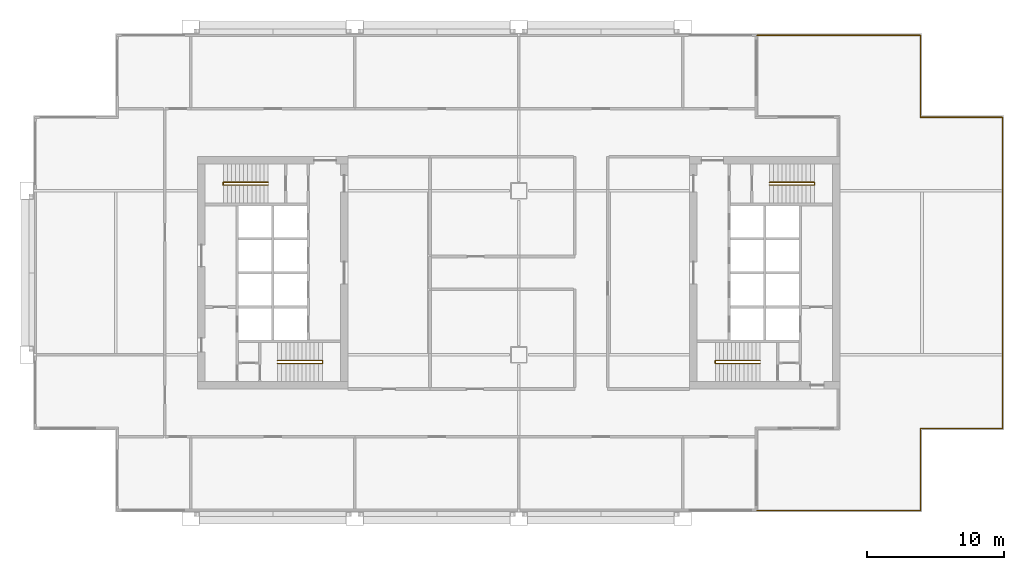
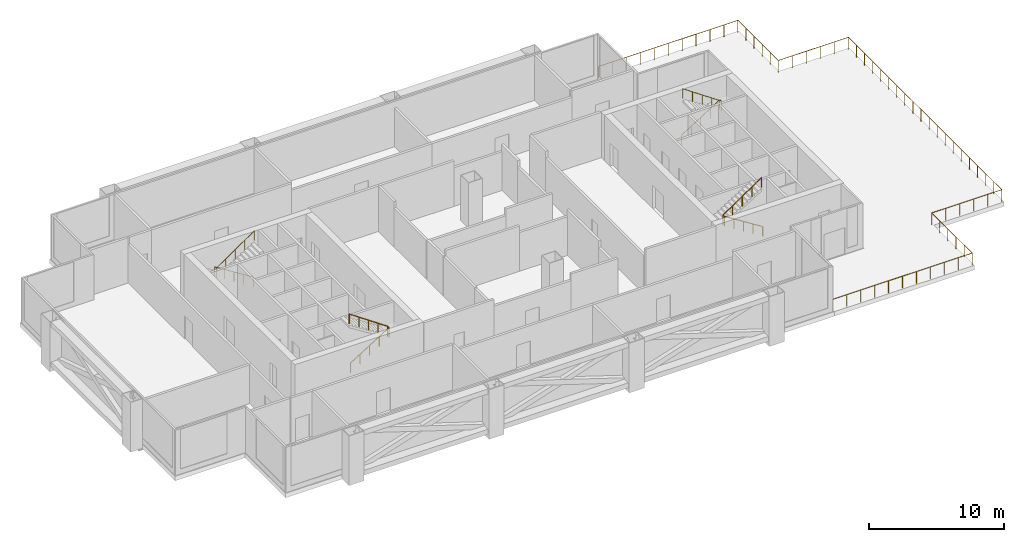
# One storey, part 6 of 6: 5 railings.
"""IFC4 building model written with IfcOpenShell, lengths in metres."""

import ifcopenshell
import ifcopenshell.guid

model = None  # the IFC model being written
_history = None  # IfcOwnerHistory: only IFC2X3 demands one
_inside = {}  # id of a spatial element -> (the spatial element, [elements in it])
_under = {}  # id of a project, library or spatial element -> (it, [spatial elements below it])
_declared = {}  # id of a project -> (the project, [libraries it declares])
_typed = {}  # id of a type object -> (the type object, [elements of that type])
_made_of = {}  # id of a material, layer set ... -> (it, [elements and type objects made of it])


def new_model(schema):
    """Start an empty IFC model of exactly this schema.

    Asked for "IFC4X3", IfcOpenShell would pick the latest addendum, in which some entities
    have other attributes; the version numbers below select the first issue.
    IFC2X3 requires an IfcOwnerHistory on every rooted entity: one is made here for all.
    """
    global model, _history
    if schema == "IFC4X3":
        model = ifcopenshell.file(schema_version=(4, 3, 0, 0))
    else:
        model = ifcopenshell.file(schema=schema)
    _inside.clear()
    _under.clear()
    _declared.clear()
    _typed.clear()
    _made_of.clear()
    _history = None
    if model.schema == "IFC2X3":
        org = make("IfcOrganization", Name="unknown")
        user = make(
            "IfcPersonAndOrganization",
            ThePerson=make("IfcPerson", FamilyName="unknown"),
            TheOrganization=org,
        )
        app = make(
            "IfcApplication",
            ApplicationDeveloper=org,
            Version="unknown",
            ApplicationFullName="unknown",
            ApplicationIdentifier="unknown",
        )
        _history = make(
            "IfcOwnerHistory",
            OwningUser=user,
            OwningApplication=app,
            ChangeAction="ADDED",
            CreationDate=0,
        )
    return model


def make(cls, **values):
    """One entity of the class cls with the attributes given. An attribute that is None is left unset."""
    return model.create_entity(
        cls, **{name: value for name, value in values.items() if value is not None}
    )


def rooted(cls, **values):
    """An entity with a GlobalId (a new one), such as an element, a storey or a relation."""
    return make(cls, GlobalId=ifcopenshell.guid.new(), OwnerHistory=_history, **values)


def si_unit(unit_type, name, prefix=None):
    """IfcSIUnit, for example si_unit("LENGTHUNIT", "METRE", prefix="MILLI")."""
    return make("IfcSIUnit", UnitType=unit_type, Prefix=prefix, Name=name)


def assignment(units):
    """IfcUnitAssignment: the units of a project."""
    return None if units is None else make("IfcUnitAssignment", Units=units)


def point(xyz):
    """IfcCartesianPoint."""
    return None if xyz is None else make("IfcCartesianPoint", Coordinates=xyz)


def direction(xyz):
    """IfcDirection."""
    return None if xyz is None else make("IfcDirection", DirectionRatios=xyz)


def frame(location, z_axis=None, x_axis=None):
    """IfcAxis2Placement3D, a coordinate frame: its origin and axes. An axis left out is left unset."""
    return make(
        "IfcAxis2Placement3D",
        Location=point(location),
        Axis=direction(z_axis),
        RefDirection=direction(x_axis),
    )


def frame_2d(location, x_axis=None):
    """IfcAxis2Placement2D, a coordinate frame in the plane: its origin and x axis."""
    return make(
        "IfcAxis2Placement2D", Location=point(location), RefDirection=direction(x_axis)
    )


def origin():
    """The frame at (0, 0, 0) with its axes left unset."""
    return frame((0.0, 0.0, 0.0))


def origin_2d():
    """The frame at (0, 0) in the plane with its x axis left unset."""
    return frame_2d((0.0, 0.0))


def place(relative_to, where):
    """IfcLocalPlacement: puts the frame where relative to a parent placement (None: the world)."""
    return make(
        "IfcLocalPlacement", PlacementRelTo=relative_to, RelativePlacement=where
    )


def context(
    kind, dimensions, precision=None, world=None, true_north=None, identifier=None
):
    """IfcGeometricRepresentationContext, for example the 3D "Model" context."""
    return make(
        "IfcGeometricRepresentationContext",
        ContextIdentifier=identifier,
        ContextType=kind,
        CoordinateSpaceDimension=dimensions,
        Precision=precision,
        WorldCoordinateSystem=world,
        TrueNorth=true_north,
    )


def subcontext(parent, identifier, kind, view, scale=None):
    """IfcGeometricRepresentationSubContext, for example "Body" below "Model"."""
    return make(
        "IfcGeometricRepresentationSubContext",
        ContextIdentifier=identifier,
        ContextType=kind,
        ParentContext=parent,
        TargetScale=scale,
        TargetView=view,
    )


def project(units=None, contexts=None):
    """IfcProject with its units and contexts."""
    return rooted(
        "IfcProject",
        Name="project",
        RepresentationContexts=contexts,
        UnitsInContext=assignment(units),
    )


def spatial(cls, under=None, at=None, **own):
    """A site, building, storey or space (cls), placed at a placement, below another one or the project."""
    s = rooted(cls, ObjectPlacement=at, **own)
    if under is not None:
        _under.setdefault(under.id(), (under, []))[1].append(s)
    return s


def profile(cls, at=None, kind="AREA", **sizes):
    """A parametric profile (cls). Its sizes go by their IFC names, for example OverallWidth=200.0."""
    return make(cls, ProfileType=kind, Position=at, **sizes)


def circle(**sizes):
    """IfcCircleProfileDef."""
    return profile("IfcCircleProfileDef", **sizes)


def extrude(swept, where, along, depth):
    """IfcExtrudedAreaSolid: the profile swept, set in the frame where, extruded along a direction by depth."""
    return make(
        "IfcExtrudedAreaSolid",
        SweptArea=swept,
        Position=where,
        ExtrudedDirection=direction(along),
        Depth=depth,
    )


def shape(context_of_items, identifier, shape_type, items):
    """IfcShapeRepresentation: the items that make up one representation, for example the "Body"."""
    return make(
        "IfcShapeRepresentation",
        ContextOfItems=context_of_items,
        RepresentationIdentifier=identifier,
        RepresentationType=shape_type,
        Items=items,
    )


def material(Name=None, Category=None):
    """IfcMaterial."""
    return make("IfcMaterial", Name=Name, Category=Category)


def made_of(thing, what):
    """Note that an element or type object is made of a material, layer set ...; save() writes the relation."""
    if what is not None:
        _made_of.setdefault(what.id(), (what, []))[1].append(thing)
    return thing


def type_object(cls, material=None, **own):
    """A type object (cls), such as IfcWallType, which elements share."""
    return made_of(rooted(cls, **own), material)


def element(
    cls,
    number,
    at=None,
    inside=None,
    cuts=None,
    type_object=None,
    material=None,
    context=None,
    identifier="Body",
    shape_type=None,
    held_by="IfcProductDefinitionShape",
    body=None,
    shapes=None,
    **own,
):
    """One element of the class cls, such as IfcWall. Its Tag is "e" and its number.

    at: its placement. inside: the storey or other place that contains it. cuts: it is an
    opening in that element (IfcRelVoidsElement). A single representation is given by context,
    identifier, shape_type and body (its items); several are given by shapes. held_by: the class
    of the entity that holds the representations. save() writes the other relations.
    """
    e = rooted(cls, Tag="e%d" % number, ObjectPlacement=at, **own)
    if body is not None:
        shapes = [shape(context, identifier, shape_type, body)]
    if shapes is not None:
        e.Representation = make(held_by, Representations=shapes)
    if inside is not None:
        _inside.setdefault(inside.id(), (inside, []))[1].append(e)
    if cuts is not None:
        rooted(
            "IfcRelVoidsElement", RelatingBuildingElement=cuts, RelatedOpeningElement=e
        )
    if type_object is not None:
        _typed.setdefault(type_object.id(), (type_object, []))[1].append(e)
    return made_of(e, material)


def aggregate(whole, parts):
    """IfcRelAggregates: a whole, such as a stair, and the parts it consists of."""
    return rooted("IfcRelAggregates", RelatingObject=whole, RelatedObjects=parts)


def save(model, path):
    """Write the relations noted so far, then the file.

    IfcRelAggregates (storeys below a building ...), IfcRelContainedInSpatialStructure (elements
    in a storey), IfcRelDefinesByType, IfcRelAssociatesMaterial and IfcRelDeclares: one each for
    every whole, place, type object, material and project.
    """
    for whole, parts in _under.values():
        aggregate(whole, parts)
    for where, things in _inside.values():
        rooted(
            "IfcRelContainedInSpatialStructure",
            RelatedElements=things,
            RelatingStructure=where,
        )
    for kind, things in _typed.values():
        rooted("IfcRelDefinesByType", RelatedObjects=things, RelatingType=kind)
    for what, things in _made_of.values():
        rooted("IfcRelAssociatesMaterial", RelatedObjects=things, RelatingMaterial=what)
    for by, libraries in _declared.values():
        rooted("IfcRelDeclares", RelatingContext=by, RelatedDefinitions=libraries)
    model.write(path)


model = new_model("IFC4")

# Units and contexts
model_context = context("Model", 3, precision=1e-05, world=origin(), true_north=direction((0.0, 1.0)))
body_context = subcontext(model_context, "Body", "Model", "MODEL_VIEW")
ifc_project = project(units=[si_unit("LENGTHUNIT", "METRE"), si_unit("AREAUNIT", "SQUARE_METRE"), si_unit("VOLUMEUNIT", "CUBIC_METRE"), si_unit("PLANEANGLEUNIT", "RADIAN"), si_unit("MASSUNIT", "GRAM", prefix="KILO")], contexts=[model_context])

# Site, building, storey
site_placement = place(None, origin())
site = spatial("IfcSite", under=ifc_project, at=site_placement, CompositionType="ELEMENT")
building_placement = place(site_placement, origin())
building = spatial("IfcBuilding", under=site, at=building_placement, Name="Kitamizu Gate Tower and Museum", CompositionType="ELEMENT")
storey_placement = place(building_placement, frame((0.0, 0.0, 153.75)))
storey = spatial("IfcBuildingStorey", under=building, at=storey_placement, Name="L40", CompositionType="ELEMENT", Elevation=153.75)

# Railings
ifc_material_1 = material(Name="Stainless steel SUS304 with toughened glass infill", Category="steel")
railing_type_1 = type_object("IfcRailingType", Name="GUARD 1100", PredefinedType="GUARDRAIL", material=ifc_material_1)
railing_1_placement = place(storey_placement, frame((53.43994140625, 47.3798828125, 0.0)))
element("IfcRailing", 1, at=railing_1_placement, inside=storey, type_object=railing_type_1, Name="Guard L40 terrace 1", PredefinedType="GUARDRAIL", context=body_context, shape_type="SweptSolid", body=[
    extrude(circle(Radius=0.02490234375, at=origin_2d()), frame((0.0, 0.0, 1.0751953125), z_axis=(1.0, 0.0, 0.0), x_axis=(0.0, 1.0, 0.0)), (0.0, 0.0, 1.0), 11.93994140625),
    extrude(circle(Radius=0.02490234375, at=origin_2d()), frame((11.93994140625, 0.0, 1.0751953125), z_axis=(0.0, -1.0, 0.0), x_axis=(1.0, 0.0, 0.0)), (0.0, 0.0, 1.0), 6.0),
    extrude(circle(Radius=0.02490234375, at=origin_2d()), frame((11.93994140625, -6.0, 1.0751953125), z_axis=(1.0, 0.0, 0.0), x_axis=(0.0, 1.0, 0.0)), (0.0, 0.0, 1.0), 6.0),
    extrude(circle(Radius=0.02490234375, at=origin_2d()), frame((17.93994140625, -6.0, 1.0751953125), z_axis=(0.0, -1.0, 0.0), x_axis=(1.0, 0.0, 0.0)), (0.0, 0.0, 1.0), 22.759765625),
    extrude(circle(Radius=0.02490234375, at=origin_2d()), frame((17.93994140625, -28.759765625, 1.0751953125), z_axis=(-1.0, 0.0, 0.0), x_axis=(0.0, -1.0, 0.0)), (0.0, 0.0, 1.0), 6.0),
    extrude(circle(Radius=0.02490234375, at=origin_2d()), frame((11.93994140625, -28.759765625, 1.0751953125), z_axis=(0.0, -1.0, 0.0), x_axis=(1.0, 0.0, 0.0)), (0.0, 0.0, 1.0), 6.0),
    extrude(circle(Radius=0.02490234375, at=origin_2d()), frame((11.93994140625, -34.759765625, 1.0751953125), z_axis=(-1.0, 0.0, 0.0), x_axis=(0.0, -1.0, 0.0)), (0.0, 0.0, 1.0), 11.93994140625),
    extrude(circle(Radius=0.02490234375, at=origin_2d()), origin(), (0.0, 0.0, 1.0), 1.050048828125),
    extrude(circle(Radius=0.02490234375, at=origin_2d()), frame((1.194091796875, 0.0, 0.0)), (0.0, 0.0, 1.0), 1.050048828125),
    extrude(circle(Radius=0.02490234375, at=origin_2d()), frame((2.387939453125, 0.0, 0.0)), (0.0, 0.0, 1.0), 1.050048828125),
    extrude(circle(Radius=0.02490234375, at=origin_2d()), frame((3.58203125, 0.0, 0.0)), (0.0, 0.0, 1.0), 1.050048828125),
    extrude(circle(Radius=0.02490234375, at=origin_2d()), frame((4.77587890625, 0.0, 0.0)), (0.0, 0.0, 1.0), 1.050048828125),
    extrude(circle(Radius=0.02490234375, at=origin_2d()), frame((5.969970703125, 0.0, 0.0)), (0.0, 0.0, 1.0), 1.050048828125),
    extrude(circle(Radius=0.02490234375, at=origin_2d()), frame((7.1640625, 0.0, 0.0)), (0.0, 0.0, 1.0), 1.050048828125),
    extrude(circle(Radius=0.02490234375, at=origin_2d()), frame((8.35791015625, 0.0, 0.0)), (0.0, 0.0, 1.0), 1.050048828125),
    extrude(circle(Radius=0.02490234375, at=origin_2d()), frame((9.552001953125, 0.0, 0.0)), (0.0, 0.0, 1.0), 1.050048828125),
    extrude(circle(Radius=0.02490234375, at=origin_2d()), frame((10.745849609375, 0.0, 0.0)), (0.0, 0.0, 1.0), 1.050048828125),
    extrude(circle(Radius=0.02490234375, at=origin_2d()), frame((11.93994140625, 0.0, 0.0)), (0.0, 0.0, 1.0), 1.050048828125),
    extrude(circle(Radius=0.02490234375, at=origin_2d()), frame((11.93994140625, -1.199951171875, 0.0)), (0.0, 0.0, 1.0), 1.050048828125),
    extrude(circle(Radius=0.02490234375, at=origin_2d()), frame((11.93994140625, -2.39990234375, 0.0)), (0.0, 0.0, 1.0), 1.050048828125),
    extrude(circle(Radius=0.02490234375, at=origin_2d()), frame((11.93994140625, -3.60009765625, 0.0)), (0.0, 0.0, 1.0), 1.050048828125),
    extrude(circle(Radius=0.02490234375, at=origin_2d()), frame((11.93994140625, -4.800048828125, 0.0)), (0.0, 0.0, 1.0), 1.050048828125),
    extrude(circle(Radius=0.02490234375, at=origin_2d()), frame((11.93994140625, -6.0, 0.0)), (0.0, 0.0, 1.0), 1.050048828125),
    extrude(circle(Radius=0.02490234375, at=origin_2d()), frame((13.139892578125, -6.0, 0.0)), (0.0, 0.0, 1.0), 1.050048828125),
    extrude(circle(Radius=0.02490234375, at=origin_2d()), frame((14.33984375, -6.0, 0.0)), (0.0, 0.0, 1.0), 1.050048828125),
    extrude(circle(Radius=0.02490234375, at=origin_2d()), frame((15.5400390625, -6.0, 0.0)), (0.0, 0.0, 1.0), 1.050048828125),
    extrude(circle(Radius=0.02490234375, at=origin_2d()), frame((16.739990234375, -6.0, 0.0)), (0.0, 0.0, 1.0), 1.050048828125),
    extrude(circle(Radius=0.02490234375, at=origin_2d()), frame((17.93994140625, -6.0, 0.0)), (0.0, 0.0, 1.0), 1.050048828125),
    extrude(circle(Radius=0.02490234375, at=origin_2d()), frame((17.93994140625, -7.197998046875, 0.0)), (0.0, 0.0, 1.0), 1.050048828125),
    extrude(circle(Radius=0.02490234375, at=origin_2d()), frame((17.93994140625, -8.395751953125, 0.0)), (0.0, 0.0, 1.0), 1.050048828125),
    extrude(circle(Radius=0.02490234375, at=origin_2d()), frame((17.93994140625, -9.59375, 0.0)), (0.0, 0.0, 1.0), 1.050048828125),
    extrude(circle(Radius=0.02490234375, at=origin_2d()), frame((17.93994140625, -10.79150390625, 0.0)), (0.0, 0.0, 1.0), 1.050048828125),
    extrude(circle(Radius=0.02490234375, at=origin_2d()), frame((17.93994140625, -11.989501953125, 0.0)), (0.0, 0.0, 1.0), 1.050048828125),
    extrude(circle(Radius=0.02490234375, at=origin_2d()), frame((17.93994140625, -13.187255859375, 0.0)), (0.0, 0.0, 1.0), 1.050048828125),
    extrude(circle(Radius=0.02490234375, at=origin_2d()), frame((17.93994140625, -14.38525390625, 0.0)), (0.0, 0.0, 1.0), 1.050048828125),
    extrude(circle(Radius=0.02490234375, at=origin_2d()), frame((17.93994140625, -15.5830078125, 0.0)), (0.0, 0.0, 1.0), 1.050048828125),
    extrude(circle(Radius=0.02490234375, at=origin_2d()), frame((17.93994140625, -16.781005859375, 0.0)), (0.0, 0.0, 1.0), 1.050048828125),
    extrude(circle(Radius=0.02490234375, at=origin_2d()), frame((17.93994140625, -17.978759765625, 0.0)), (0.0, 0.0, 1.0), 1.050048828125),
    extrude(circle(Radius=0.02490234375, at=origin_2d()), frame((17.93994140625, -19.1767578125, 0.0)), (0.0, 0.0, 1.0), 1.050048828125),
    extrude(circle(Radius=0.02490234375, at=origin_2d()), frame((17.93994140625, -20.37451171875, 0.0)), (0.0, 0.0, 1.0), 1.050048828125),
    extrude(circle(Radius=0.02490234375, at=origin_2d()), frame((17.93994140625, -21.572509765625, 0.0)), (0.0, 0.0, 1.0), 1.050048828125),
    extrude(circle(Radius=0.02490234375, at=origin_2d()), frame((17.93994140625, -22.770263671875, 0.0)), (0.0, 0.0, 1.0), 1.050048828125),
    extrude(circle(Radius=0.02490234375, at=origin_2d()), frame((17.93994140625, -23.96826171875, 0.0)), (0.0, 0.0, 1.0), 1.050048828125),
    extrude(circle(Radius=0.02490234375, at=origin_2d()), frame((17.93994140625, -25.166015625, 0.0)), (0.0, 0.0, 1.0), 1.050048828125),
    extrude(circle(Radius=0.02490234375, at=origin_2d()), frame((17.93994140625, -26.364013671875, 0.0)), (0.0, 0.0, 1.0), 1.050048828125),
    extrude(circle(Radius=0.02490234375, at=origin_2d()), frame((17.93994140625, -27.561767578125, 0.0)), (0.0, 0.0, 1.0), 1.050048828125),
    extrude(circle(Radius=0.02490234375, at=origin_2d()), frame((17.93994140625, -28.759765625, 0.0)), (0.0, 0.0, 1.0), 1.050048828125),
    extrude(circle(Radius=0.02490234375, at=origin_2d()), frame((16.739990234375, -28.759765625, 0.0)), (0.0, 0.0, 1.0), 1.050048828125),
    extrude(circle(Radius=0.02490234375, at=origin_2d()), frame((15.5400390625, -28.759765625, 0.0)), (0.0, 0.0, 1.0), 1.050048828125),
    extrude(circle(Radius=0.02490234375, at=origin_2d()), frame((14.33984375, -28.759765625, 0.0)), (0.0, 0.0, 1.0), 1.050048828125),
    extrude(circle(Radius=0.02490234375, at=origin_2d()), frame((13.139892578125, -28.759765625, 0.0)), (0.0, 0.0, 1.0), 1.050048828125),
    extrude(circle(Radius=0.02490234375, at=origin_2d()), frame((11.93994140625, -28.759765625, 0.0)), (0.0, 0.0, 1.0), 1.050048828125),
    extrude(circle(Radius=0.02490234375, at=origin_2d()), frame((11.93994140625, -29.959716796875, 0.0)), (0.0, 0.0, 1.0), 1.050048828125),
    extrude(circle(Radius=0.02490234375, at=origin_2d()), frame((11.93994140625, -31.15966796875, 0.0)), (0.0, 0.0, 1.0), 1.050048828125),
    extrude(circle(Radius=0.02490234375, at=origin_2d()), frame((11.93994140625, -32.35986328125, 0.0)), (0.0, 0.0, 1.0), 1.050048828125),
    extrude(circle(Radius=0.02490234375, at=origin_2d()), frame((11.93994140625, -33.559814453125, 0.0)), (0.0, 0.0, 1.0), 1.050048828125),
    extrude(circle(Radius=0.02490234375, at=origin_2d()), frame((11.93994140625, -34.759765625, 0.0)), (0.0, 0.0, 1.0), 1.050048828125),
    extrude(circle(Radius=0.02490234375, at=origin_2d()), frame((10.745849609375, -34.759765625, 0.0)), (0.0, 0.0, 1.0), 1.050048828125),
    extrude(circle(Radius=0.02490234375, at=origin_2d()), frame((9.552001953125, -34.759765625, 0.0)), (0.0, 0.0, 1.0), 1.050048828125),
    extrude(circle(Radius=0.02490234375, at=origin_2d()), frame((8.35791015625, -34.759765625, 0.0)), (0.0, 0.0, 1.0), 1.050048828125),
    extrude(circle(Radius=0.02490234375, at=origin_2d()), frame((7.1640625, -34.759765625, 0.0)), (0.0, 0.0, 1.0), 1.050048828125),
    extrude(circle(Radius=0.02490234375, at=origin_2d()), frame((5.969970703125, -34.759765625, 0.0)), (0.0, 0.0, 1.0), 1.050048828125),
    extrude(circle(Radius=0.02490234375, at=origin_2d()), frame((4.77587890625, -34.759765625, 0.0)), (0.0, 0.0, 1.0), 1.050048828125),
    extrude(circle(Radius=0.02490234375, at=origin_2d()), frame((3.58203125, -34.759765625, 0.0)), (0.0, 0.0, 1.0), 1.050048828125),
    extrude(circle(Radius=0.02490234375, at=origin_2d()), frame((2.387939453125, -34.759765625, 0.0)), (0.0, 0.0, 1.0), 1.050048828125),
    extrude(circle(Radius=0.02490234375, at=origin_2d()), frame((1.194091796875, -34.759765625, 0.0)), (0.0, 0.0, 1.0), 1.050048828125),
    extrude(circle(Radius=0.02490234375, at=origin_2d()), frame((0.0, -34.759765625, 0.0)), (0.0, 0.0, 1.0), 1.050048828125),
])
ifc_material_2 = material(Name="Stainless steel SUS304", Category="steel")
railing_type_2 = type_object("IfcRailingType", Name="Stair handrail 900", PredefinedType="HANDRAIL", material=ifc_material_2)
railing_2_placement = place(storey_placement, frame((18.35009765625, 23.375, 0.1875)))
element("IfcRailing", 2, at=railing_2_placement, inside=storey, type_object=railing_type_2, Name="Stair handrail ST1", PredefinedType="HANDRAIL", context=body_context, shape_type="SweptSolid", body=[
    extrude(circle(Radius=0.02392578125, at=origin_2d()), frame((0.0, 0.0, 0.8759765625), z_axis=(0.846171736195, 0.0, 0.532910304709), x_axis=(0.0, 1.0, 0.0)), (0.0, 0.0, 1.0), 3.870361328125),
    extrude(circle(Radius=0.02392578125, at=origin_2d()), frame((3.27490234375, 0.0, 2.9384765625), z_axis=(0.0, 1.0, 0.0), x_axis=(-1.0, 0.0, 0.0)), (0.0, 0.0, 1.0), 0.199951171875),
    extrude(circle(Radius=0.02392578125, at=origin_2d()), frame((3.27490234375, 0.199951171875, 2.9384765625), z_axis=(-0.824217580211, 0.0, 0.56627323835), x_axis=(0.0, -1.0, 0.0)), (0.0, 0.0, 1.0), 3.973388671875),
    extrude(circle(Radius=0.02099609375, at=origin_2d()), origin(), (0.0, 0.0, 1.0), 0.851806640625),
    extrude(circle(Radius=0.02099609375, at=origin_2d()), frame((0.81884765625, 0.0, 0.515625)), (0.0, 0.0, 1.0), 0.851806640625),
    extrude(circle(Radius=0.02099609375, at=origin_2d()), frame((1.637451171875, 0.0, 1.03125)), (0.0, 0.0, 1.0), 0.851806640625),
    extrude(circle(Radius=0.02099609375, at=origin_2d()), frame((2.4560546875, 0.0, 1.546875)), (0.0, 0.0, 1.0), 0.851806640625),
    extrude(circle(Radius=0.02099609375, at=origin_2d()), frame((3.27490234375, 0.0, 2.0625)), (0.0, 0.0, 1.0), 0.851806640625),
    extrude(circle(Radius=0.02099609375, at=origin_2d()), frame((3.27490234375, 0.199951171875, 2.0625)), (0.0, 0.0, 1.0), 0.851806640625),
    extrude(circle(Radius=0.02099609375, at=origin_2d()), frame((2.4560546875, 0.199951171875, 2.625)), (0.0, 0.0, 1.0), 0.851806640625),
    extrude(circle(Radius=0.02099609375, at=origin_2d()), frame((1.637451171875, 0.199951171875, 3.1875)), (0.0, 0.0, 1.0), 0.851806640625),
    extrude(circle(Radius=0.02099609375, at=origin_2d()), frame((0.81884765625, 0.199951171875, 3.75)), (0.0, 0.0, 1.0), 0.851806640625),
    extrude(circle(Radius=0.02099609375, at=origin_2d()), frame((0.0, 0.199951171875, 4.3125)), (0.0, 0.0, 1.0), 0.851806640625),
])
railing_3_placement = place(storey_placement, frame((17.64990234375, 36.625, 0.1875)))
element("IfcRailing", 3, at=railing_3_placement, inside=storey, type_object=railing_type_2, Name="Stair handrail ST2", PredefinedType="HANDRAIL", context=body_context, shape_type="SweptSolid", body=[
    extrude(circle(Radius=0.02392578125, at=origin_2d()), frame((0.0, 0.0, 0.8759765625), z_axis=(-0.846171736195, 0.0, 0.532910304709), x_axis=(0.0, -1.0, 0.0)), (0.0, 0.0, 1.0), 3.870361328125),
    extrude(circle(Radius=0.02392578125, at=origin_2d()), frame((-3.27490234375, 0.0, 2.9384765625), z_axis=(0.0, -1.0, 0.0), x_axis=(1.0, 0.0, 0.0)), (0.0, 0.0, 1.0), 0.199951171875),
    extrude(circle(Radius=0.02392578125, at=origin_2d()), frame((-3.27490234375, -0.199951171875, 2.9384765625), z_axis=(0.824217580211, 0.0, 0.56627323835), x_axis=(0.0, 1.0, 0.0)), (0.0, 0.0, 1.0), 3.973388671875),
    extrude(circle(Radius=0.02099609375, at=origin_2d()), origin(), (0.0, 0.0, 1.0), 0.851806640625),
    extrude(circle(Radius=0.02099609375, at=origin_2d()), frame((-0.81884765625, 0.0, 0.515625)), (0.0, 0.0, 1.0), 0.851806640625),
    extrude(circle(Radius=0.02099609375, at=origin_2d()), frame((-1.637451171875, 0.0, 1.03125)), (0.0, 0.0, 1.0), 0.851806640625),
    extrude(circle(Radius=0.02099609375, at=origin_2d()), frame((-2.4560546875, 0.0, 1.546875)), (0.0, 0.0, 1.0), 0.851806640625),
    extrude(circle(Radius=0.02099609375, at=origin_2d()), frame((-3.27490234375, 0.0, 2.0625)), (0.0, 0.0, 1.0), 0.851806640625),
    extrude(circle(Radius=0.02099609375, at=origin_2d()), frame((-3.27490234375, -0.199951171875, 2.0625)), (0.0, 0.0, 1.0), 0.851806640625),
    extrude(circle(Radius=0.02099609375, at=origin_2d()), frame((-2.4560546875, -0.199951171875, 2.625)), (0.0, 0.0, 1.0), 0.851806640625),
    extrude(circle(Radius=0.02099609375, at=origin_2d()), frame((-1.637451171875, -0.199951171875, 3.1875)), (0.0, 0.0, 1.0), 0.851806640625),
    extrude(circle(Radius=0.02099609375, at=origin_2d()), frame((-0.81884765625, -0.199951171875, 3.75)), (0.0, 0.0, 1.0), 0.851806640625),
    extrude(circle(Radius=0.02099609375, at=origin_2d()), frame((0.0, -0.199951171875, 4.3125)), (0.0, 0.0, 1.0), 0.851806640625),
])
railing_4_placement = place(storey_placement, frame((53.64990234375, 23.375, 0.1875)))
element("IfcRailing", 4, at=railing_4_placement, inside=storey, type_object=railing_type_2, Name="Stair handrail ST3", PredefinedType="HANDRAIL", context=body_context, shape_type="SweptSolid", body=[
    extrude(circle(Radius=0.02392578125, at=origin_2d()), frame((0.0, 0.0, 0.8759765625), z_axis=(-0.846171736195, 0.0, 0.532910304709), x_axis=(0.0, -1.0, 0.0)), (0.0, 0.0, 1.0), 3.870361328125),
    extrude(circle(Radius=0.02392578125, at=origin_2d()), frame((-3.27490234375, 0.0, 2.9384765625), z_axis=(0.0, 1.0, 0.0), x_axis=(-1.0, 0.0, 0.0)), (0.0, 0.0, 1.0), 0.199951171875),
    extrude(circle(Radius=0.02392578125, at=origin_2d()), frame((-3.27490234375, 0.199951171875, 2.9384765625), z_axis=(0.824217580211, 0.0, 0.56627323835), x_axis=(0.0, 1.0, 0.0)), (0.0, 0.0, 1.0), 3.973388671875),
    extrude(circle(Radius=0.02099609375, at=origin_2d()), origin(), (0.0, 0.0, 1.0), 0.851806640625),
    extrude(circle(Radius=0.02099609375, at=origin_2d()), frame((-0.81884765625, 0.0, 0.515625)), (0.0, 0.0, 1.0), 0.851806640625),
    extrude(circle(Radius=0.02099609375, at=origin_2d()), frame((-1.637451171875, 0.0, 1.03125)), (0.0, 0.0, 1.0), 0.851806640625),
    extrude(circle(Radius=0.02099609375, at=origin_2d()), frame((-2.4560546875, 0.0, 1.546875)), (0.0, 0.0, 1.0), 0.851806640625),
    extrude(circle(Radius=0.02099609375, at=origin_2d()), frame((-3.27490234375, 0.0, 2.0625)), (0.0, 0.0, 1.0), 0.851806640625),
    extrude(circle(Radius=0.02099609375, at=origin_2d()), frame((-3.27490234375, 0.199951171875, 2.0625)), (0.0, 0.0, 1.0), 0.851806640625),
    extrude(circle(Radius=0.02099609375, at=origin_2d()), frame((-2.4560546875, 0.199951171875, 2.625)), (0.0, 0.0, 1.0), 0.851806640625),
    extrude(circle(Radius=0.02099609375, at=origin_2d()), frame((-1.637451171875, 0.199951171875, 3.1875)), (0.0, 0.0, 1.0), 0.851806640625),
    extrude(circle(Radius=0.02099609375, at=origin_2d()), frame((-0.81884765625, 0.199951171875, 3.75)), (0.0, 0.0, 1.0), 0.851806640625),
    extrude(circle(Radius=0.02099609375, at=origin_2d()), frame((0.0, 0.199951171875, 4.3125)), (0.0, 0.0, 1.0), 0.851806640625),
])
railing_5_placement = place(storey_placement, frame((54.35009765625, 36.625, 0.1875)))
element("IfcRailing", 5, at=railing_5_placement, inside=storey, type_object=railing_type_2, Name="Stair handrail ST4", PredefinedType="HANDRAIL", context=body_context, shape_type="SweptSolid", body=[
    extrude(circle(Radius=0.02392578125, at=origin_2d()), frame((0.0, 0.0, 0.8759765625), z_axis=(0.846171736195, 0.0, 0.532910304709), x_axis=(0.0, 1.0, 0.0)), (0.0, 0.0, 1.0), 3.870361328125),
    extrude(circle(Radius=0.02392578125, at=origin_2d()), frame((3.27490234375, 0.0, 2.9384765625), z_axis=(0.0, -1.0, 0.0), x_axis=(1.0, 0.0, 0.0)), (0.0, 0.0, 1.0), 0.199951171875),
    extrude(circle(Radius=0.02392578125, at=origin_2d()), frame((3.27490234375, -0.199951171875, 2.9384765625), z_axis=(-0.824217580211, 0.0, 0.56627323835), x_axis=(0.0, -1.0, 0.0)), (0.0, 0.0, 1.0), 3.973388671875),
    extrude(circle(Radius=0.02099609375, at=origin_2d()), origin(), (0.0, 0.0, 1.0), 0.851806640625),
    extrude(circle(Radius=0.02099609375, at=origin_2d()), frame((0.81884765625, 0.0, 0.515625)), (0.0, 0.0, 1.0), 0.851806640625),
    extrude(circle(Radius=0.02099609375, at=origin_2d()), frame((1.637451171875, 0.0, 1.03125)), (0.0, 0.0, 1.0), 0.851806640625),
    extrude(circle(Radius=0.02099609375, at=origin_2d()), frame((2.4560546875, 0.0, 1.546875)), (0.0, 0.0, 1.0), 0.851806640625),
    extrude(circle(Radius=0.02099609375, at=origin_2d()), frame((3.27490234375, 0.0, 2.0625)), (0.0, 0.0, 1.0), 0.851806640625),
    extrude(circle(Radius=0.02099609375, at=origin_2d()), frame((3.27490234375, -0.199951171875, 2.0625)), (0.0, 0.0, 1.0), 0.851806640625),
    extrude(circle(Radius=0.02099609375, at=origin_2d()), frame((2.4560546875, -0.199951171875, 2.625)), (0.0, 0.0, 1.0), 0.851806640625),
    extrude(circle(Radius=0.02099609375, at=origin_2d()), frame((1.637451171875, -0.199951171875, 3.1875)), (0.0, 0.0, 1.0), 0.851806640625),
    extrude(circle(Radius=0.02099609375, at=origin_2d()), frame((0.81884765625, -0.199951171875, 3.75)), (0.0, 0.0, 1.0), 0.851806640625),
    extrude(circle(Radius=0.02099609375, at=origin_2d()), frame((0.0, -0.199951171875, 4.3125)), (0.0, 0.0, 1.0), 0.851806640625),
])

save(model, "model.ifc")
